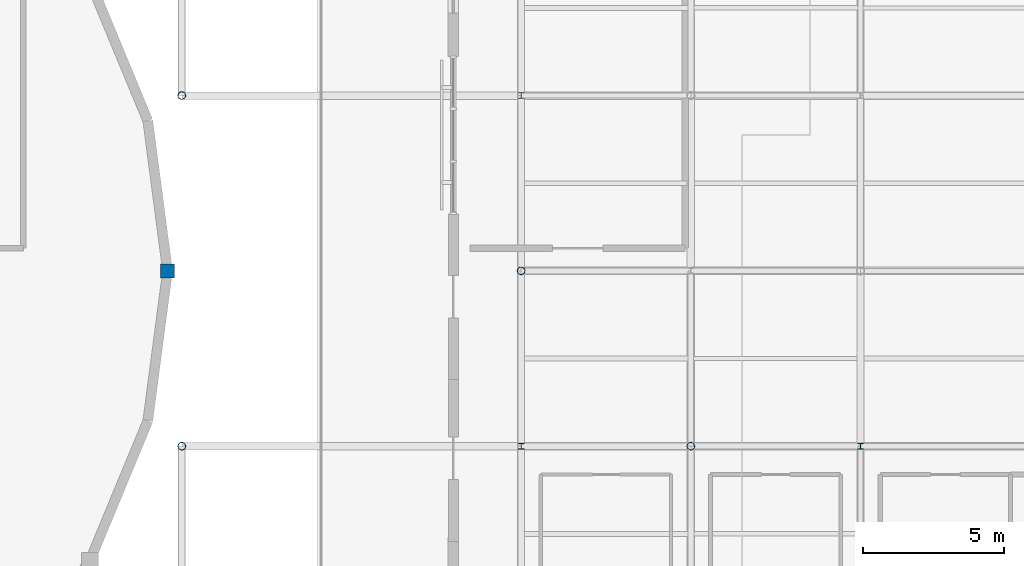
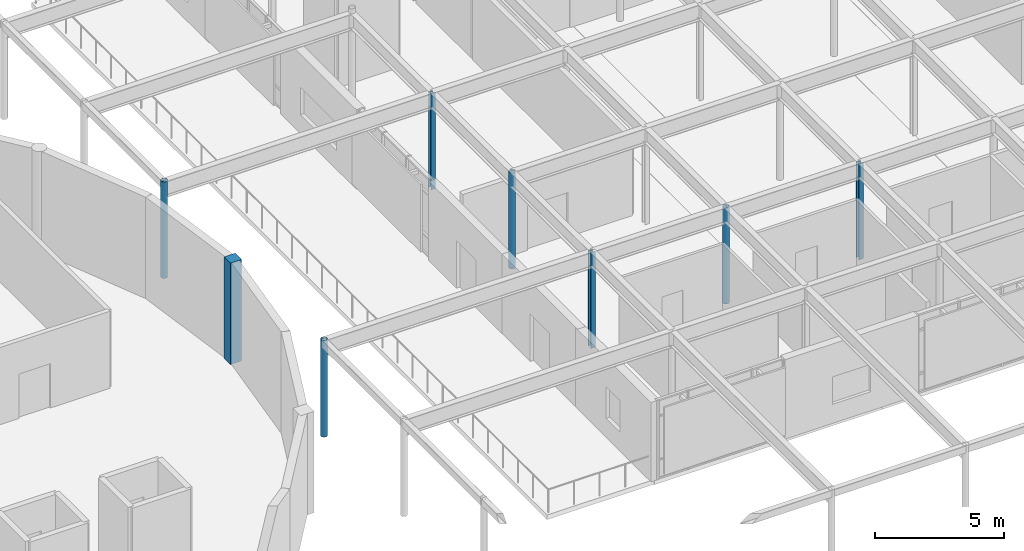
# One storey, part 4 of 48: 8 columns.
"""IFC4 building model written with IfcOpenShell, lengths in metres."""

from ifc_helpers import new_model, si_unit, direction, frame, origin, origin_2d, place, context, subcontext, project, spatial, rectangle, hollow_circle, i_section, extrude, material, material_profile, profile_set, type_object, element, save


model = new_model("IFC4")

# Units and contexts
model_context = context("Model", 3, precision=1e-05, world=origin(), true_north=direction((0.0, 1.0)))
body_context = subcontext(model_context, "Body", "Model", "MODEL_VIEW")
ifc_project = project(units=[si_unit("LENGTHUNIT", "METRE"), si_unit("AREAUNIT", "SQUARE_METRE"), si_unit("VOLUMEUNIT", "CUBIC_METRE"), si_unit("PLANEANGLEUNIT", "RADIAN"), si_unit("MASSUNIT", "GRAM", prefix="KILO")], contexts=[model_context])

# Site, building, storey
site_placement = place(None, origin())
site = spatial("IfcSite", under=ifc_project, at=site_placement, CompositionType="ELEMENT")
building_placement = place(site_placement, origin())
building = spatial("IfcBuilding", under=site, at=building_placement, Name="Mirzam Square Science Centre", CompositionType="ELEMENT")
storey_placement = place(building_placement, frame((0.0, 0.0, 20.39990234375)))
storey = spatial("IfcBuildingStorey", under=building, at=storey_placement, Name="L04", CompositionType="ELEMENT", Elevation=20.39990234375)

# Columns
ifc_material_1 = material(Name="Steel S355", Category="steel")
ifc_material_profile_1 = material_profile(ifc_material_1, hollow_circle(Radius=0.136474609375, WallThickness=0.010009765625, at=origin_2d()), Name="273.0x10.0CHS")
ifc_profile_set_1 = profile_set([ifc_material_profile_1], Name="Steel S355")
column_type_1 = type_object("IfcColumnType", Name="COL-CHS273", PredefinedType="COLUMN", material=ifc_profile_set_1)
for number, where, z_axis, x_axis, name in (
    (1, (102.0, 55.800048828125, 0.0), (0.0, 0.0, 1.0), (1.0, 0.0, 0.0), "L04 column G18-10"),
    (2, (102.0, 68.199951171875, 0.0), (0.0, 0.0, 1.0), (1.0, 0.0, 0.0), "L04 column G18-12"),
):
    element("IfcColumn", number, at=place(storey_placement, frame(where, z_axis=z_axis, x_axis=x_axis)), inside=storey, type_object=column_type_1, Name=name, PredefinedType="COLUMN", context=body_context, shape_type="SweptSolid", body=[
        extrude(hollow_circle(Radius=0.136474609375, WallThickness=0.010009765625, at=origin_2d()), origin(), (0.0, 0.0, 1.0), 4.570068359375),
    ])
for number, where, z_axis, x_axis, name in (
    (3, (114.0, 62.0, 0.0), (0.0, 0.0, 1.0), (1.0, 0.0, 0.0), "L04 column G20-11"),
    (4, (120.0, 55.800048828125, 0.0), (0.0, 0.0, 1.0), (1.0, 0.0, 0.0), "L04 column G21-10"),
):
    element("IfcColumn", number, at=place(storey_placement, frame(where, z_axis=z_axis, x_axis=x_axis)), inside=storey, type_object=column_type_1, Name=name, PredefinedType="COLUMN", context=body_context, shape_type="SweptSolid", body=[
        extrude(hollow_circle(Radius=0.136474609375, WallThickness=0.010009765625, at=origin_2d()), origin(), (0.0, 0.0, 1.0), 4.550048828125),
    ])
ifc_material_profile_2 = material_profile(ifc_material_1, i_section(OverallWidth=0.205810546875, OverallDepth=0.209716796875, WebThickness=0.009521484375, FlangeThickness=0.01416015625, FilletRadius=0.01025390625, at=origin_2d()), Name="203x203x60UC")
ifc_profile_set_2 = profile_set([ifc_material_profile_2], Name="Steel S355")
column_type_2 = type_object("IfcColumnType", Name="COL-UC203A", PredefinedType="COLUMN", material=ifc_profile_set_2)
for number, where, z_axis, x_axis, name in (
    (5, (114.0, 55.800048828125, 0.0), (0.0, 0.0, 1.0), (1.0, 0.0, 0.0), "L04 column G20-10"),
    (6, (114.0, 68.199951171875, 0.0), (0.0, 0.0, 1.0), (1.0, 0.0, 0.0), "L04 column G20-12"),
    (7, (126.0, 55.800048828125, 0.0), (0.0, 0.0, 1.0), (1.0, 0.0, 0.0), "L04 column G22-10"),
):
    element("IfcColumn", number, at=place(storey_placement, frame(where, z_axis=z_axis, x_axis=x_axis)), inside=storey, type_object=column_type_2, Name=name, PredefinedType="COLUMN", context=body_context, shape_type="SweptSolid", body=[
        extrude(i_section(OverallWidth=0.205810546875, OverallDepth=0.209716796875, WebThickness=0.009521484375, FlangeThickness=0.01416015625, FilletRadius=0.01025390625, at=origin_2d()), origin(), (0.0, 0.0, 1.0), 4.550048828125),
    ])
ifc_material_2 = material(Name="Concrete C45/55", Category="concrete")
ifc_material_profile_3 = material_profile(ifc_material_2, rectangle(XDim=0.5, YDim=0.5, at=origin_2d()), Name="RC500x500")
ifc_profile_set_3 = profile_set([ifc_material_profile_3], Name="Concrete C45/55")
column_type_3 = type_object("IfcColumnType", Name="PIL-RC500", PredefinedType="PILASTER", material=ifc_profile_set_3)
column_placement = place(storey_placement, frame((101.5, 62.0, 0.0), z_axis=(0.0, 0.0, 1.0), x_axis=(1.0, 0.0, 0.0)))
element("IfcColumn", 8, at=column_placement, inside=storey, type_object=column_type_3, Name="L04 drum pilaster 01", PredefinedType="PILASTER", context=body_context, shape_type="SweptSolid", body=[
    extrude(rectangle(XDim=0.5, YDim=0.5, at=origin_2d()), origin(), (0.0, 0.0, 1.0), 4.800048828125),
])

save(model, "model.ifc")
